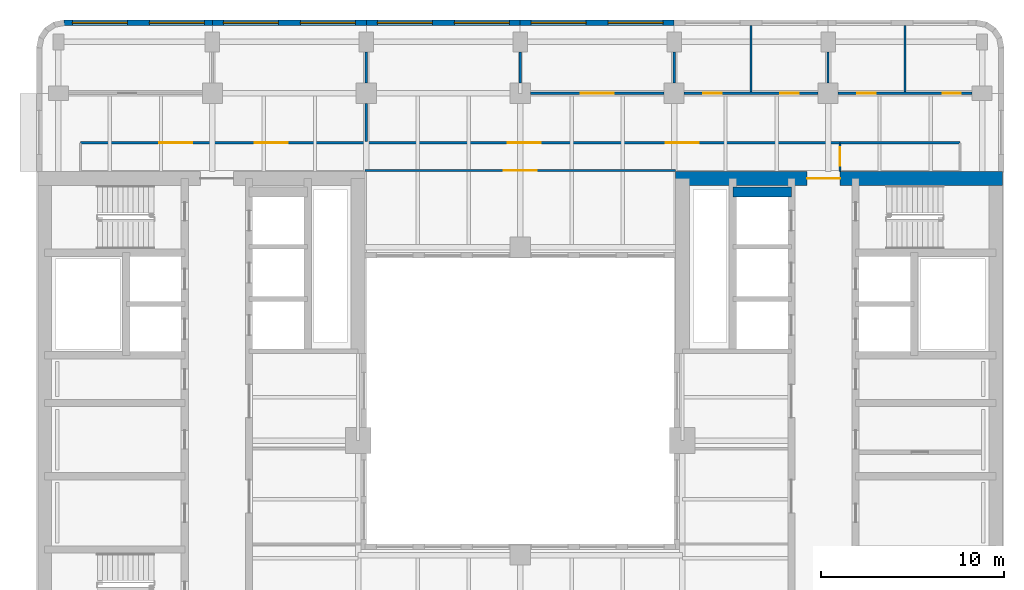
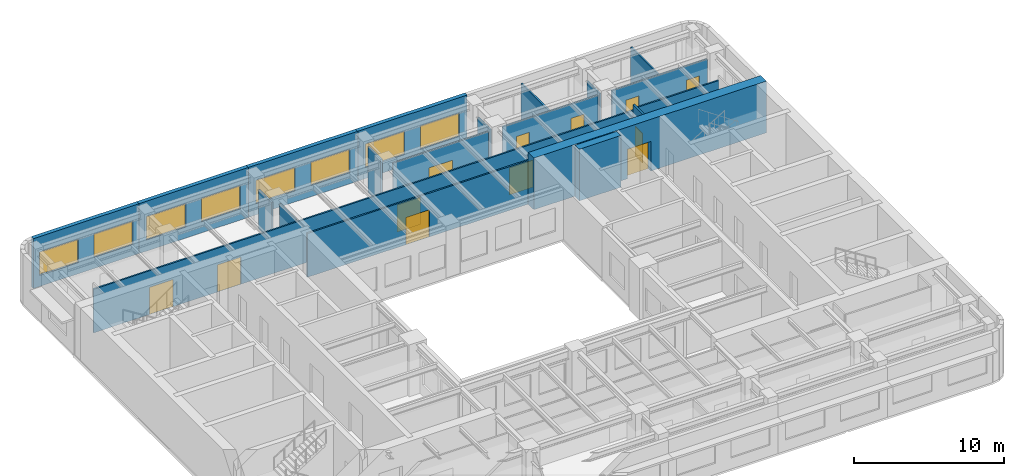
# One storey, part 7 of 11: 20 walls, 12 doors, 8 windows, 20 openings.
"""IFC4 building model written with IfcOpenShell, lengths in metres."""

from ifc_helpers import new_model, si_unit, direction, frame, frame_2d, origin, place, context, subcontext, project, spatial, rectangle, extrude, material, layer, layer_set, type_object, element, fill, save


model = new_model("IFC4")

# Units and contexts
model_context = context("Model", 3, precision=1e-05, world=origin(), true_north=direction((0.0, 1.0)))
body_context = subcontext(model_context, "Body", "Model", "MODEL_VIEW")
ifc_project = project(units=[si_unit("LENGTHUNIT", "METRE"), si_unit("AREAUNIT", "SQUARE_METRE"), si_unit("VOLUMEUNIT", "CUBIC_METRE"), si_unit("PLANEANGLEUNIT", "RADIAN"), si_unit("MASSUNIT", "GRAM", prefix="KILO")], contexts=[model_context])

# Site, building, storey
site_placement = place(None, origin())
site = spatial("IfcSite", under=ifc_project, at=site_placement, CompositionType="ELEMENT")
building_placement = place(site_placement, origin())
building = spatial("IfcBuilding", under=site, at=building_placement, Name="Claustro Exchange Tower", CompositionType="ELEMENT")
storey_placement = place(building_placement, frame((0.0, 0.0, 236.39990234375)))
storey = spatial("IfcBuildingStorey", under=building, at=storey_placement, Name="L54", CompositionType="ELEMENT", Elevation=236.39990234375)

# Wall, opening, door
ifc_material_1 = material(Name="Laminated glass in aluminium frame", Category="aluminium")
ifc_layer_1 = layer(ifc_material_1, 0.1201171875)
ifc_layer_set_1 = layer_set([ifc_layer_1], Name="Laminated glass in aluminium frame")
wall_type_1 = type_object("IfcWallType", Name="P2 120 glazed partition", PredefinedType="PARTITIONING", material=ifc_layer_set_1)
wall_1_placement = place(storey_placement, frame((25.7490234375, 42.0, 0.0), z_axis=(0.0, 0.0, 1.0), x_axis=(1.0, 0.0, 0.0)))
wall_1 = element("IfcWall", 1, at=wall_1_placement, inside=storey, type_object=wall_type_1, Name="Partition P2 L54", PredefinedType="PARTITIONING", context=body_context, shape_type="SweptSolid", body=[
    extrude(rectangle(XDim=7.302001953125, YDim=0.1201171875, at=frame_2d((3.65087890625, 0.0))), origin(), (0.0, 0.0, 1.0), 3.550048828125),
])
opening_1_placement = place(wall_1_placement, frame((2.7509765625, 0.0, 0.0)))
opening_1 = element("IfcOpeningElement", 2, at=opening_1_placement, cuts=wall_1, Name="Opening D2", PredefinedType="OPENING", context=body_context, shape_type="SweptSolid", body=[
    extrude(rectangle(XDim=1.800048828125, YDim=2.199951171875, at=frame_2d((0.89990234375, 1.10009765625))), frame((0.0, 0.070068359375, 0.0), z_axis=(0.0, -1.0, 0.0), x_axis=(1.0, 0.0, 0.0)), (0.0, 0.0, 1.0), 0.14013671875),
])
ifc_material_2 = material(Name="Timber door, oak veneer", Category="wood")
door_type_1 = type_object("IfcDoorType", Name="D2 1800 x 2200 double door", OperationType="DOUBLE_DOOR_SINGLE_SWING", PredefinedType="DOOR", material=ifc_material_2)
door_1_placement = place(opening_1_placement, origin())
door_1 = element("IfcDoor", 3, at=door_1_placement, inside=storey, type_object=door_type_1, Name="Double door D2 L54", OperationType="DOUBLE_DOOR_SINGLE_SWING", OverallHeight=2.199951171875, OverallWidth=1.800048828125, PredefinedType="DOOR", context=body_context, shape_type="SweptSolid", body=[
    extrude(rectangle(XDim=1.800048828125, YDim=2.199951171875, at=frame_2d((0.89990234375, 1.10009765625))), frame((0.0, 0.02490234375, 0.0), z_axis=(0.0, -1.0, 0.0), x_axis=(1.0, 0.0, 0.0)), (0.0, 0.0, 1.0), 0.050048828125),
])
fill(opening_1, door_1)

# Wall, openings, doors
wall_2_placement = place(storey_placement, frame((34.14892578125, 42.0, 0.0), z_axis=(0.0, 0.0, 1.0), x_axis=(1.0, 0.0, 0.0)))
wall_2 = element("IfcWall", 4, at=wall_2_placement, inside=storey, type_object=wall_type_1, Name="Partition P2 L54", PredefinedType="PARTITIONING", context=body_context, shape_type="SweptSolid", body=[
    extrude(rectangle(XDim=7.302001953125, YDim=0.1201171875, at=frame_2d((3.65087890625, 0.0))), origin(), (0.0, 0.0, 1.0), 3.550048828125),
])
opening_2_placement = place(wall_2_placement, frame((1.051025390625, 0.0, 0.0)))
opening_2 = element("IfcOpeningElement", 5, at=opening_2_placement, cuts=wall_2, Name="Opening D7", PredefinedType="OPENING", context=body_context, shape_type="SweptSolid", body=[
    extrude(rectangle(XDim=1.0, YDim=2.39990234375, at=frame_2d((0.5, 1.199951171875))), frame((0.0, 0.070068359375, 0.0), z_axis=(0.0, -1.0, 0.0), x_axis=(1.0, 0.0, 0.0)), (0.0, 0.0, 1.0), 0.14013671875),
])
opening_3_placement = place(wall_2_placement, frame((5.2509765625, 0.0, 0.0)))
opening_3 = element("IfcOpeningElement", 6, at=opening_3_placement, cuts=wall_2, Name="Opening D7", PredefinedType="OPENING", context=body_context, shape_type="SweptSolid", body=[
    extrude(rectangle(XDim=1.0, YDim=2.39990234375, at=frame_2d((0.5, 1.199951171875))), frame((0.0, 0.070068359375, 0.0), z_axis=(0.0, -1.0, 0.0), x_axis=(1.0, 0.0, 0.0)), (0.0, 0.0, 1.0), 0.14013671875),
])
ifc_material_3 = material(Name="Glass door in aluminium frame", Category="aluminium")
door_type_2 = type_object("IfcDoorType", Name="D7 1000 x 2400 glazed door", OperationType="SINGLE_SWING_LEFT", PredefinedType="DOOR", material=ifc_material_3)
door_2_placement = place(opening_2_placement, origin())
door_2 = element("IfcDoor", 7, at=door_2_placement, inside=storey, type_object=door_type_2, Name="Door D7 L54", OperationType="SINGLE_SWING_RIGHT", OverallHeight=2.39990234375, OverallWidth=1.0, PredefinedType="DOOR", context=body_context, shape_type="SweptSolid", body=[
    extrude(rectangle(XDim=1.0, YDim=2.39990234375, at=frame_2d((0.5, 1.199951171875))), frame((0.0, 0.02490234375, 0.0), z_axis=(0.0, -1.0, 0.0), x_axis=(1.0, 0.0, 0.0)), (0.0, 0.0, 1.0), 0.050048828125),
])
fill(opening_2, door_2)
door_3_placement = place(opening_3_placement, origin())
door_3 = element("IfcDoor", 8, at=door_3_placement, inside=storey, type_object=door_type_2, Name="Door D7 L54", OperationType="SINGLE_SWING_RIGHT", OverallHeight=2.39990234375, OverallWidth=1.0, PredefinedType="DOOR", context=body_context, shape_type="SweptSolid", body=[
    extrude(rectangle(XDim=1.0, YDim=2.39990234375, at=frame_2d((0.5, 1.199951171875))), frame((0.0, 0.02490234375, 0.0), z_axis=(0.0, -1.0, 0.0), x_axis=(1.0, 0.0, 0.0)), (0.0, 0.0, 1.0), 0.050048828125),
])
fill(opening_3, door_3)

wall_3_placement = place(storey_placement, frame((42.549072265625, 42.0, 0.0), z_axis=(0.0, 0.0, 1.0), x_axis=(1.0, 0.0, 0.0)))
wall_3 = element("IfcWall", 9, at=wall_3_placement, inside=storey, type_object=wall_type_1, Name="Partition P2 L54", PredefinedType="PARTITIONING", context=body_context, shape_type="SweptSolid", body=[
    extrude(rectangle(XDim=7.302001953125, YDim=0.1201171875, at=frame_2d((3.65087890625, 0.0))), origin(), (0.0, 0.0, 1.0), 3.550048828125),
])
opening_4_placement = place(wall_3_placement, frame((1.051025390625, 0.0, 0.0)))
opening_4 = element("IfcOpeningElement", 10, at=opening_4_placement, cuts=wall_3, Name="Opening D7", PredefinedType="OPENING", context=body_context, shape_type="SweptSolid", body=[
    extrude(rectangle(XDim=1.0, YDim=2.39990234375, at=frame_2d((0.5, 1.199951171875))), frame((0.0, 0.070068359375, 0.0), z_axis=(0.0, -1.0, 0.0), x_axis=(1.0, 0.0, 0.0)), (0.0, 0.0, 1.0), 0.14013671875),
])
opening_5_placement = place(wall_3_placement, frame((5.700927734375, 0.0, 0.0)))
opening_5 = element("IfcOpeningElement", 11, at=opening_5_placement, cuts=wall_3, Name="Opening D7", PredefinedType="OPENING", context=body_context, shape_type="SweptSolid", body=[
    extrude(rectangle(XDim=1.0, YDim=2.39990234375, at=frame_2d((0.5, 1.199951171875))), frame((0.0, 0.070068359375, 0.0), z_axis=(0.0, -1.0, 0.0), x_axis=(1.0, 0.0, 0.0)), (0.0, 0.0, 1.0), 0.14013671875),
])
door_4_placement = place(opening_4_placement, origin())
door_4 = element("IfcDoor", 12, at=door_4_placement, inside=storey, type_object=door_type_2, Name="Door D7 L54", OperationType="SINGLE_SWING_LEFT", OverallHeight=2.39990234375, OverallWidth=1.0, PredefinedType="DOOR", context=body_context, shape_type="SweptSolid", body=[
    extrude(rectangle(XDim=1.0, YDim=2.39990234375, at=frame_2d((0.5, 1.199951171875))), frame((0.0, 0.02490234375, 0.0), z_axis=(0.0, -1.0, 0.0), x_axis=(1.0, 0.0, 0.0)), (0.0, 0.0, 1.0), 0.050048828125),
])
fill(opening_4, door_4)
door_5_placement = place(opening_5_placement, origin())
door_5 = element("IfcDoor", 13, at=door_5_placement, inside=storey, type_object=door_type_2, Name="Door D7 L54", OperationType="SINGLE_SWING_LEFT", OverallHeight=2.39990234375, OverallWidth=1.0, PredefinedType="DOOR", context=body_context, shape_type="SweptSolid", body=[
    extrude(rectangle(XDim=1.0, YDim=2.39990234375, at=frame_2d((0.5, 1.199951171875))), frame((0.0, 0.02490234375, 0.0), z_axis=(0.0, -1.0, 0.0), x_axis=(1.0, 0.0, 0.0)), (0.0, 0.0, 1.0), 0.050048828125),
])
fill(opening_5, door_5)

# Walls
wall_4_placement = place(storey_placement, frame((25.199951171875, 42.549072265625, 0.0), z_axis=(0.0, 0.0, 1.0), x_axis=(0.0, 1.0, 0.0)))
element("IfcWall", 14, at=wall_4_placement, inside=storey, type_object=wall_type_1, Name="Partition P2 L54", PredefinedType="PARTITIONING", context=body_context, shape_type="SweptSolid", body=[
    extrude(rectangle(XDim=1.701904296875, YDim=0.1201171875, at=frame_2d((0.85107421875, 0.0))), origin(), (0.0, 0.0, 1.0), 3.690185546875),
])
wall_5_placement = place(storey_placement, frame((33.60009765625, 42.549072265625, 0.0), z_axis=(0.0, 0.0, 1.0), x_axis=(0.0, 1.0, 0.0)))
element("IfcWall", 15, at=wall_5_placement, inside=storey, type_object=wall_type_1, Name="Partition P2 L54", PredefinedType="PARTITIONING", context=body_context, shape_type="SweptSolid", body=[
    extrude(rectangle(XDim=1.701904296875, YDim=0.1201171875, at=frame_2d((0.85107421875, 0.0))), origin(), (0.0, 0.0, 1.0), 3.150146484375),
])
wall_6_placement = place(storey_placement, frame((37.800048828125, 42.05810546875, 0.0), z_axis=(0.0, 0.0, 1.0), x_axis=(0.0, 1.0, 0.0)))
element("IfcWall", 16, at=wall_6_placement, inside=storey, type_object=wall_type_1, Name="Partition P2 L54", PredefinedType="PARTITIONING", context=body_context, shape_type="SweptSolid", body=[
    extrude(rectangle(XDim=3.643798828125, YDim=0.1201171875, at=frame_2d((1.82177734375, 0.0))), origin(), (0.0, 0.0, 1.0), 3.550048828125),
])
wall_7_placement = place(storey_placement, frame((42.0, 42.549072265625, 0.0), z_axis=(0.0, 0.0, 1.0), x_axis=(0.0, 1.0, 0.0)))
element("IfcWall", 17, at=wall_7_placement, inside=storey, type_object=wall_type_1, Name="Partition P2 L54", PredefinedType="PARTITIONING", context=body_context, shape_type="SweptSolid", body=[
    extrude(rectangle(XDim=1.701904296875, YDim=0.1201171875, at=frame_2d((0.85107421875, 0.0))), origin(), (0.0, 0.0, 1.0), 3.150146484375),
])
wall_8_placement = place(storey_placement, frame((46.199951171875, 42.05810546875, 0.0), z_axis=(0.0, 0.0, 1.0), x_axis=(0.0, 1.0, 0.0)))
element("IfcWall", 18, at=wall_8_placement, inside=storey, type_object=wall_type_1, Name="Partition P2 L54", PredefinedType="PARTITIONING", context=body_context, shape_type="SweptSolid", body=[
    extrude(rectangle(XDim=3.643798828125, YDim=0.1201171875, at=frame_2d((1.82177734375, 0.0))), origin(), (0.0, 0.0, 1.0), 3.550048828125),
])
wall_9_placement = place(storey_placement, frame((16.800048828125, 39.35791015625, 0.0), z_axis=(0.0, 0.0, 1.0), x_axis=(0.0, 1.0, 0.0)))
element("IfcWall", 19, at=wall_9_placement, inside=storey, type_object=wall_type_1, Name="Partition P2 L54", PredefinedType="PARTITIONING", context=body_context, shape_type="SweptSolid", body=[
    extrude(rectangle(XDim=2.093017578125, YDim=0.1201171875, at=frame_2d((1.04638671875, 0.0))), origin(), (0.0, 0.0, 1.0), 3.690185546875),
])
wall_10_placement = place(storey_placement, frame((16.800048828125, 42.549072265625, 0.0), z_axis=(0.0, 0.0, 1.0), x_axis=(0.0, 1.0, 0.0)))
element("IfcWall", 20, at=wall_10_placement, inside=storey, type_object=wall_type_1, Name="Partition P2 L54", PredefinedType="PARTITIONING", context=body_context, shape_type="SweptSolid", body=[
    extrude(rectangle(XDim=1.701904296875, YDim=0.1201171875, at=frame_2d((0.85107421875, 0.0))), origin(), (0.0, 0.0, 1.0), 3.150146484375),
])

# Wall, openings, doors
wall_11_placement = place(storey_placement, frame((1.199951171875, 39.300048828125, 0.0), z_axis=(0.0, 0.0, 1.0), x_axis=(1.0, 0.0, 0.0)))
wall_11 = element("IfcWall", 21, at=wall_11_placement, inside=storey, type_object=wall_type_1, Name="Partition P2 L54", PredefinedType="PARTITIONING", context=body_context, shape_type="SweptSolid", body=[
    extrude(rectangle(XDim=41.4521484375, YDim=0.1201171875, at=frame_2d((20.72607421875, 0.0))), origin(), (0.0, 0.0, 1.0), 3.550048828125),
])
opening_6_placement = place(wall_11_placement, frame((4.300048828125, 0.0, 0.0)))
opening_6 = element("IfcOpeningElement", 22, at=opening_6_placement, cuts=wall_11, Name="Opening D2", PredefinedType="OPENING", context=body_context, shape_type="SweptSolid", body=[
    extrude(rectangle(XDim=1.800048828125, YDim=2.199951171875, at=frame_2d((0.89990234375, 1.10009765625))), frame((0.0, 0.070068359375, 0.0), z_axis=(0.0, -1.0, 0.0), x_axis=(1.0, 0.0, 0.0)), (0.0, 0.0, 1.0), 0.14013671875),
])
opening_7_placement = place(wall_11_placement, frame((9.5, 0.0, 0.0)))
opening_7 = element("IfcOpeningElement", 23, at=opening_7_placement, cuts=wall_11, Name="Opening D2", PredefinedType="OPENING", context=body_context, shape_type="SweptSolid", body=[
    extrude(rectangle(XDim=1.800048828125, YDim=2.199951171875, at=frame_2d((0.89990234375, 1.10009765625))), frame((0.0, 0.070068359375, 0.0), z_axis=(0.0, -1.0, 0.0), x_axis=(1.0, 0.0, 0.0)), (0.0, 0.0, 1.0), 0.14013671875),
])
opening_8_placement = place(wall_11_placement, frame((23.316650390625, 0.0, 0.0)))
opening_8 = element("IfcOpeningElement", 24, at=opening_8_placement, cuts=wall_11, Name="Opening D2", PredefinedType="OPENING", context=body_context, shape_type="SweptSolid", body=[
    extrude(rectangle(XDim=1.800048828125, YDim=2.199951171875, at=frame_2d((0.89990234375, 1.10009765625))), frame((0.0, 0.070068359375, 0.0), z_axis=(0.0, -1.0, 0.0), x_axis=(1.0, 0.0, 0.0)), (0.0, 0.0, 1.0), 0.14013671875),
])
opening_9_placement = place(wall_11_placement, frame((31.933349609375, 0.0, 0.0)))
opening_9 = element("IfcOpeningElement", 25, at=opening_9_placement, cuts=wall_11, Name="Opening D2", PredefinedType="OPENING", context=body_context, shape_type="SweptSolid", body=[
    extrude(rectangle(XDim=1.800048828125, YDim=2.199951171875, at=frame_2d((0.89990234375, 1.10009765625))), frame((0.0, 0.070068359375, 0.0), z_axis=(0.0, -1.0, 0.0), x_axis=(1.0, 0.0, 0.0)), (0.0, 0.0, 1.0), 0.14013671875),
])
door_6_placement = place(opening_6_placement, origin())
door_6 = element("IfcDoor", 26, at=door_6_placement, inside=storey, type_object=door_type_1, Name="Double door D2 L54", OperationType="DOUBLE_DOOR_SINGLE_SWING", OverallHeight=2.199951171875, OverallWidth=1.800048828125, PredefinedType="DOOR", context=body_context, shape_type="SweptSolid", body=[
    extrude(rectangle(XDim=1.800048828125, YDim=2.199951171875, at=frame_2d((0.89990234375, 1.10009765625))), frame((0.0, 0.02490234375, 0.0), z_axis=(0.0, -1.0, 0.0), x_axis=(1.0, 0.0, 0.0)), (0.0, 0.0, 1.0), 0.050048828125),
])
fill(opening_6, door_6)
door_7_placement = place(opening_7_placement, origin())
door_7 = element("IfcDoor", 27, at=door_7_placement, inside=storey, type_object=door_type_1, Name="Double door D2 L54", OperationType="DOUBLE_DOOR_SINGLE_SWING", OverallHeight=2.199951171875, OverallWidth=1.800048828125, PredefinedType="DOOR", context=body_context, shape_type="SweptSolid", body=[
    extrude(rectangle(XDim=1.800048828125, YDim=2.199951171875, at=frame_2d((0.89990234375, 1.10009765625))), frame((0.0, 0.02490234375, 0.0), z_axis=(0.0, -1.0, 0.0), x_axis=(1.0, 0.0, 0.0)), (0.0, 0.0, 1.0), 0.050048828125),
])
fill(opening_7, door_7)
door_8_placement = place(opening_8_placement, origin())
door_8 = element("IfcDoor", 28, at=door_8_placement, inside=storey, type_object=door_type_1, Name="Double door D2 L54", OperationType="DOUBLE_DOOR_SINGLE_SWING", OverallHeight=2.199951171875, OverallWidth=1.800048828125, PredefinedType="DOOR", context=body_context, shape_type="SweptSolid", body=[
    extrude(rectangle(XDim=1.800048828125, YDim=2.199951171875, at=frame_2d((0.89990234375, 1.10009765625))), frame((0.0, 0.02490234375, 0.0), z_axis=(0.0, -1.0, 0.0), x_axis=(1.0, 0.0, 0.0)), (0.0, 0.0, 1.0), 0.050048828125),
])
fill(opening_8, door_8)
door_9_placement = place(opening_9_placement, origin())
door_9 = element("IfcDoor", 29, at=door_9_placement, inside=storey, type_object=door_type_1, Name="Double door D2 L54", OperationType="DOUBLE_DOOR_SINGLE_SWING", OverallHeight=2.199951171875, OverallWidth=1.800048828125, PredefinedType="DOOR", context=body_context, shape_type="SweptSolid", body=[
    extrude(rectangle(XDim=1.800048828125, YDim=2.199951171875, at=frame_2d((0.89990234375, 1.10009765625))), frame((0.0, 0.02490234375, 0.0), z_axis=(0.0, -1.0, 0.0), x_axis=(1.0, 0.0, 0.0)), (0.0, 0.0, 1.0), 0.050048828125),
])
fill(opening_9, door_9)

# Wall, opening, door
wall_12_placement = place(storey_placement, frame((42.64990234375, 37.72412109375, 0.0), z_axis=(0.0, 0.0, 1.0), x_axis=(0.0, 1.0, 0.0)))
wall_12 = element("IfcWall", 30, at=wall_12_placement, inside=storey, type_object=wall_type_1, Name="Partition P2 L54", PredefinedType="PARTITIONING", context=body_context, shape_type="SweptSolid", body=[
    extrude(rectangle(XDim=1.517822265625, YDim=0.1201171875, at=frame_2d((0.7587890625, 0.0))), origin(), (0.0, 0.0, 1.0), 4.050048828125),
])
opening_10_placement = place(wall_12_placement, frame((0.325927734375, 0.0, 0.0)))
opening_10 = element("IfcOpeningElement", 31, at=opening_10_placement, cuts=wall_12, Name="Opening D7", PredefinedType="OPENING", context=body_context, shape_type="SweptSolid", body=[
    extrude(rectangle(XDim=1.0, YDim=2.39990234375, at=frame_2d((0.5, 1.199951171875))), frame((0.0, 0.070068359375, 0.0), z_axis=(0.0, -1.0, 0.0), x_axis=(1.0, 0.0, 0.0)), (0.0, 0.0, 1.0), 0.14013671875),
])
door_10_placement = place(opening_10_placement, frame((1.0, 0.0, 0.0), z_axis=(0.0, 0.0, 1.0), x_axis=(-1.0, 0.0, 0.0)))
door_10 = element("IfcDoor", 32, at=door_10_placement, inside=storey, type_object=door_type_2, Name="Door D7 L54", OperationType="SINGLE_SWING_RIGHT", OverallHeight=2.39990234375, OverallWidth=1.0, PredefinedType="DOOR", context=body_context, shape_type="SweptSolid", body=[
    extrude(rectangle(XDim=1.0, YDim=2.39990234375, at=frame_2d((0.5, 1.199951171875))), frame((0.0, 0.02490234375, 0.0), z_axis=(0.0, -1.0, 0.0), x_axis=(1.0, 0.0, 0.0)), (0.0, 0.0, 1.0), 0.050048828125),
])
fill(opening_10, door_10)

# Wall
wall_13_placement = place(storey_placement, frame((42.64794921875, 39.300048828125, 0.0), z_axis=(0.0, 0.0, 1.0), x_axis=(1.0, 0.0, 0.0)))
element("IfcWall", 33, at=wall_13_placement, inside=storey, type_object=wall_type_1, Name="Partition P2 L54", PredefinedType="PARTITIONING", context=body_context, shape_type="SweptSolid", body=[
    extrude(rectangle(XDim=6.552001953125, YDim=0.1201171875, at=frame_2d((3.27587890625, 0.0))), origin(), (0.0, 0.0, 1.0), 3.690185546875),
])

# Wall, opening, door
wall_14_placement = place(storey_placement, frame((16.72509765625, 37.784912109375, 0.0), z_axis=(0.0, 0.0, 1.0), x_axis=(1.0, 0.0, 0.0)))
wall_14 = element("IfcWall", 34, at=wall_14_placement, inside=storey, type_object=wall_type_1, Name="Partition P2 L54", PredefinedType="PARTITIONING", context=body_context, shape_type="SweptSolid", body=[
    extrude(rectangle(XDim=16.949951171875, YDim=0.1201171875, at=frame_2d((8.47509765625, 0.0))), origin(), (0.0, 0.0, 1.0), 3.550048828125),
])
opening_11_placement = place(wall_14_placement, frame((7.574951171875, 0.0, 0.0)))
opening_11 = element("IfcOpeningElement", 35, at=opening_11_placement, cuts=wall_14, Name="Opening D2", PredefinedType="OPENING", context=body_context, shape_type="SweptSolid", body=[
    extrude(rectangle(XDim=1.800048828125, YDim=2.199951171875, at=frame_2d((0.89990234375, 1.10009765625))), frame((0.0, 0.070068359375, 0.0), z_axis=(0.0, -1.0, 0.0), x_axis=(1.0, 0.0, 0.0)), (0.0, 0.0, 1.0), 0.14013671875),
])
door_11_placement = place(opening_11_placement, frame((1.800048828125, 0.0, 0.0), z_axis=(0.0, 0.0, 1.0), x_axis=(-1.0, 0.0, 0.0)))
door_11 = element("IfcDoor", 36, at=door_11_placement, inside=storey, type_object=door_type_1, Name="Double door D2 L54", OperationType="DOUBLE_DOOR_SINGLE_SWING", OverallHeight=2.199951171875, OverallWidth=1.800048828125, PredefinedType="DOOR", context=body_context, shape_type="SweptSolid", body=[
    extrude(rectangle(XDim=1.800048828125, YDim=2.199951171875, at=frame_2d((0.89990234375, 1.10009765625))), frame((0.0, 0.02490234375, 0.0), z_axis=(0.0, -1.0, 0.0), x_axis=(1.0, 0.0, 0.0)), (0.0, 0.0, 1.0), 0.050048828125),
])
fill(opening_11, door_11)

# Wall, openings, windows
ifc_material_4 = material(Name="Concrete HA-40 (C40/50), precast, white cement, acid-etched", Category="concrete")
ifc_layer_2 = layer(ifc_material_4, 0.300048828125)
ifc_layer_set_2 = layer_set([ifc_layer_2], Name="Concrete HA-40 (C40/50), precast, white cement, acid-etched")
wall_type_2 = type_object("IfcWallType", Name="PC1 300 precast concrete pier panel", PredefinedType="SOLIDWALL", material=ifc_layer_set_2)
wall_15_placement = place(storey_placement, frame((0.314697265625, 45.85009765625, 0.0), z_axis=(0.0, 0.0, 1.0), x_axis=(1.0, 0.0, 0.0)))
wall_15 = element("IfcWall", 37, at=wall_15_placement, inside=storey, type_object=wall_type_2, Name="Precast pier panel PC1 L54", PredefinedType="SOLIDWALL", context=body_context, shape_type="SweptSolid", body=[
    extrude(rectangle(XDim=8.085205078125, YDim=0.300048828125, at=frame_2d((4.04248046875, 0.0))), origin(), (0.0, 0.0, 1.0), 4.050048828125),
])
opening_12_placement = place(wall_15_placement, frame((0.442626953125, 0.0, 0.89990234375)))
opening_12 = element("IfcOpeningElement", 38, at=opening_12_placement, cuts=wall_15, Name="Opening W1", PredefinedType="OPENING", context=body_context, shape_type="SweptSolid", body=[
    extrude(rectangle(XDim=3.0, YDim=1.89990234375, at=frame_2d((1.5, 0.949951171875))), frame((0.0, 0.159912109375, 0.0), z_axis=(0.0, -1.0, 0.0), x_axis=(1.0, 0.0, 0.0)), (0.0, 0.0, 1.0), 0.320068359375),
])
opening_13_placement = place(wall_15_placement, frame((4.642578125, 0.0, 0.89990234375)))
opening_13 = element("IfcOpeningElement", 39, at=opening_13_placement, cuts=wall_15, Name="Opening W1", PredefinedType="OPENING", context=body_context, shape_type="SweptSolid", body=[
    extrude(rectangle(XDim=3.0, YDim=1.89990234375, at=frame_2d((1.5, 0.949951171875))), frame((0.0, 0.159912109375, 0.0), z_axis=(0.0, -1.0, 0.0), x_axis=(1.0, 0.0, 0.0)), (0.0, 0.0, 1.0), 0.320068359375),
])
ifc_material_5 = material(Name="Aluminium frame, clear double glazing", Category="aluminium")
window_type = type_object("IfcWindowType", Name="W1 3000 x 1900 window", PartitioningType="SINGLE_PANEL", PredefinedType="WINDOW", material=ifc_material_5)
window_1_placement = place(opening_12_placement, origin())
window_1 = element("IfcWindow", 40, at=window_1_placement, inside=storey, type_object=window_type, Name="Window W1 L54", OverallHeight=1.89990234375, OverallWidth=3.0, PartitioningType="SINGLE_PANEL", PredefinedType="WINDOW", context=body_context, shape_type="SweptSolid", body=[
    extrude(rectangle(XDim=3.0, YDim=1.89990234375, at=frame_2d((1.5, 0.949951171875))), frame((0.0, 0.030029296875, 0.0), z_axis=(0.0, -1.0, 0.0), x_axis=(1.0, 0.0, 0.0)), (0.0, 0.0, 1.0), 0.06005859375),
])
fill(opening_12, window_1)
window_2_placement = place(opening_13_placement, origin())
window_2 = element("IfcWindow", 41, at=window_2_placement, inside=storey, type_object=window_type, Name="Window W1 L54", OverallHeight=1.89990234375, OverallWidth=3.0, PartitioningType="SINGLE_PANEL", PredefinedType="WINDOW", context=body_context, shape_type="SweptSolid", body=[
    extrude(rectangle(XDim=3.0, YDim=1.89990234375, at=frame_2d((1.5, 0.949951171875))), frame((0.0, 0.030029296875, 0.0), z_axis=(0.0, -1.0, 0.0), x_axis=(1.0, 0.0, 0.0)), (0.0, 0.0, 1.0), 0.06005859375),
])
fill(opening_13, window_2)

wall_16_placement = place(storey_placement, frame((8.39990234375, 45.85009765625, 0.0), z_axis=(0.0, 0.0, 1.0), x_axis=(1.0, 0.0, 0.0)))
wall_16 = element("IfcWall", 42, at=wall_16_placement, inside=storey, type_object=wall_type_2, Name="Precast pier panel PC1 L54", PredefinedType="SOLIDWALL", context=body_context, shape_type="SweptSolid", body=[
    extrude(rectangle(XDim=8.400146484375, YDim=0.300048828125, at=frame_2d((4.2001953125, 0.0))), origin(), (0.0, 0.0, 1.0), 4.050048828125),
])
opening_14_placement = place(wall_16_placement, frame((0.60009765625, 0.0, 0.89990234375)))
opening_14 = element("IfcOpeningElement", 43, at=opening_14_placement, cuts=wall_16, Name="Opening W1", PredefinedType="OPENING", context=body_context, shape_type="SweptSolid", body=[
    extrude(rectangle(XDim=3.0, YDim=1.89990234375, at=frame_2d((1.5, 0.949951171875))), frame((0.0, 0.159912109375, 0.0), z_axis=(0.0, -1.0, 0.0), x_axis=(1.0, 0.0, 0.0)), (0.0, 0.0, 1.0), 0.320068359375),
])
opening_15_placement = place(wall_16_placement, frame((4.800048828125, 0.0, 0.89990234375)))
opening_15 = element("IfcOpeningElement", 44, at=opening_15_placement, cuts=wall_16, Name="Opening W1", PredefinedType="OPENING", context=body_context, shape_type="SweptSolid", body=[
    extrude(rectangle(XDim=3.0, YDim=1.89990234375, at=frame_2d((1.5, 0.949951171875))), frame((0.0, 0.159912109375, 0.0), z_axis=(0.0, -1.0, 0.0), x_axis=(1.0, 0.0, 0.0)), (0.0, 0.0, 1.0), 0.320068359375),
])
window_3_placement = place(opening_14_placement, origin())
window_3 = element("IfcWindow", 45, at=window_3_placement, inside=storey, type_object=window_type, Name="Window W1 L54", OverallHeight=1.89990234375, OverallWidth=3.0, PartitioningType="SINGLE_PANEL", PredefinedType="WINDOW", context=body_context, shape_type="SweptSolid", body=[
    extrude(rectangle(XDim=3.0, YDim=1.89990234375, at=frame_2d((1.5, 0.949951171875))), frame((0.0, 0.030029296875, 0.0), z_axis=(0.0, -1.0, 0.0), x_axis=(1.0, 0.0, 0.0)), (0.0, 0.0, 1.0), 0.06005859375),
])
fill(opening_14, window_3)
window_4_placement = place(opening_15_placement, origin())
window_4 = element("IfcWindow", 46, at=window_4_placement, inside=storey, type_object=window_type, Name="Window W1 L54", OverallHeight=1.89990234375, OverallWidth=3.0, PartitioningType="SINGLE_PANEL", PredefinedType="WINDOW", context=body_context, shape_type="SweptSolid", body=[
    extrude(rectangle(XDim=3.0, YDim=1.89990234375, at=frame_2d((1.5, 0.949951171875))), frame((0.0, 0.030029296875, 0.0), z_axis=(0.0, -1.0, 0.0), x_axis=(1.0, 0.0, 0.0)), (0.0, 0.0, 1.0), 0.06005859375),
])
fill(opening_15, window_4)

wall_17_placement = place(storey_placement, frame((16.800048828125, 45.85009765625, 0.0), z_axis=(0.0, 0.0, 1.0), x_axis=(1.0, 0.0, 0.0)))
wall_17 = element("IfcWall", 47, at=wall_17_placement, inside=storey, type_object=wall_type_2, Name="Precast pier panel PC1 L54", PredefinedType="SOLIDWALL", context=body_context, shape_type="SweptSolid", body=[
    extrude(rectangle(XDim=8.39990234375, YDim=0.300048828125, at=frame_2d((4.199951171875, 0.0))), origin(), (0.0, 0.0, 1.0), 4.050048828125),
])
opening_16_placement = place(wall_17_placement, frame((0.60009765625, 0.0, 0.89990234375)))
opening_16 = element("IfcOpeningElement", 48, at=opening_16_placement, cuts=wall_17, Name="Opening W1", PredefinedType="OPENING", context=body_context, shape_type="SweptSolid", body=[
    extrude(rectangle(XDim=3.0, YDim=1.89990234375, at=frame_2d((1.5, 0.949951171875))), frame((0.0, 0.159912109375, 0.0), z_axis=(0.0, -1.0, 0.0), x_axis=(1.0, 0.0, 0.0)), (0.0, 0.0, 1.0), 0.320068359375),
])
opening_17_placement = place(wall_17_placement, frame((4.800048828125, 0.0, 0.89990234375)))
opening_17 = element("IfcOpeningElement", 49, at=opening_17_placement, cuts=wall_17, Name="Opening W1", PredefinedType="OPENING", context=body_context, shape_type="SweptSolid", body=[
    extrude(rectangle(XDim=3.0, YDim=1.89990234375, at=frame_2d((1.5, 0.949951171875))), frame((0.0, 0.159912109375, 0.0), z_axis=(0.0, -1.0, 0.0), x_axis=(1.0, 0.0, 0.0)), (0.0, 0.0, 1.0), 0.320068359375),
])
window_5_placement = place(opening_16_placement, origin())
window_5 = element("IfcWindow", 50, at=window_5_placement, inside=storey, type_object=window_type, Name="Window W1 L54", OverallHeight=1.89990234375, OverallWidth=3.0, PartitioningType="SINGLE_PANEL", PredefinedType="WINDOW", context=body_context, shape_type="SweptSolid", body=[
    extrude(rectangle(XDim=3.0, YDim=1.89990234375, at=frame_2d((1.5, 0.949951171875))), frame((0.0, 0.030029296875, 0.0), z_axis=(0.0, -1.0, 0.0), x_axis=(1.0, 0.0, 0.0)), (0.0, 0.0, 1.0), 0.06005859375),
])
fill(opening_16, window_5)
window_6_placement = place(opening_17_placement, origin())
window_6 = element("IfcWindow", 51, at=window_6_placement, inside=storey, type_object=window_type, Name="Window W1 L54", OverallHeight=1.89990234375, OverallWidth=3.0, PartitioningType="SINGLE_PANEL", PredefinedType="WINDOW", context=body_context, shape_type="SweptSolid", body=[
    extrude(rectangle(XDim=3.0, YDim=1.89990234375, at=frame_2d((1.5, 0.949951171875))), frame((0.0, 0.030029296875, 0.0), z_axis=(0.0, -1.0, 0.0), x_axis=(1.0, 0.0, 0.0)), (0.0, 0.0, 1.0), 0.06005859375),
])
fill(opening_17, window_6)

wall_18_placement = place(storey_placement, frame((25.199951171875, 45.85009765625, 0.0), z_axis=(0.0, 0.0, 1.0), x_axis=(1.0, 0.0, 0.0)))
wall_18 = element("IfcWall", 52, at=wall_18_placement, inside=storey, type_object=wall_type_2, Name="Precast pier panel PC1 L54", PredefinedType="SOLIDWALL", context=body_context, shape_type="SweptSolid", body=[
    extrude(rectangle(XDim=8.400146484375, YDim=0.300048828125, at=frame_2d((4.2001953125, 0.0))), origin(), (0.0, 0.0, 1.0), 4.050048828125),
])
opening_18_placement = place(wall_18_placement, frame((0.60009765625, 0.0, 0.89990234375)))
opening_18 = element("IfcOpeningElement", 53, at=opening_18_placement, cuts=wall_18, Name="Opening W1", PredefinedType="OPENING", context=body_context, shape_type="SweptSolid", body=[
    extrude(rectangle(XDim=3.0, YDim=1.89990234375, at=frame_2d((1.5, 0.949951171875))), frame((0.0, 0.159912109375, 0.0), z_axis=(0.0, -1.0, 0.0), x_axis=(1.0, 0.0, 0.0)), (0.0, 0.0, 1.0), 0.320068359375),
])
opening_19_placement = place(wall_18_placement, frame((4.800048828125, 0.0, 0.89990234375)))
opening_19 = element("IfcOpeningElement", 54, at=opening_19_placement, cuts=wall_18, Name="Opening W1", PredefinedType="OPENING", context=body_context, shape_type="SweptSolid", body=[
    extrude(rectangle(XDim=3.0, YDim=1.89990234375, at=frame_2d((1.5, 0.949951171875))), frame((0.0, 0.159912109375, 0.0), z_axis=(0.0, -1.0, 0.0), x_axis=(1.0, 0.0, 0.0)), (0.0, 0.0, 1.0), 0.320068359375),
])
window_7_placement = place(opening_18_placement, origin())
window_7 = element("IfcWindow", 55, at=window_7_placement, inside=storey, type_object=window_type, Name="Window W1 L54", OverallHeight=1.89990234375, OverallWidth=3.0, PartitioningType="SINGLE_PANEL", PredefinedType="WINDOW", context=body_context, shape_type="SweptSolid", body=[
    extrude(rectangle(XDim=3.0, YDim=1.89990234375, at=frame_2d((1.5, 0.949951171875))), frame((0.0, 0.030029296875, 0.0), z_axis=(0.0, -1.0, 0.0), x_axis=(1.0, 0.0, 0.0)), (0.0, 0.0, 1.0), 0.06005859375),
])
fill(opening_18, window_7)
window_8_placement = place(opening_19_placement, origin())
window_8 = element("IfcWindow", 56, at=window_8_placement, inside=storey, type_object=window_type, Name="Window W1 L54", OverallHeight=1.89990234375, OverallWidth=3.0, PartitioningType="SINGLE_PANEL", PredefinedType="WINDOW", context=body_context, shape_type="SweptSolid", body=[
    extrude(rectangle(XDim=3.0, YDim=1.89990234375, at=frame_2d((1.5, 0.949951171875))), frame((0.0, 0.030029296875, 0.0), z_axis=(0.0, -1.0, 0.0), x_axis=(1.0, 0.0, 0.0)), (0.0, 0.0, 1.0), 0.06005859375),
])
fill(opening_19, window_8)

# Wall, opening, door
ifc_material_6 = material(Name="Concrete HA-70 (C70/85)", Category="concrete")
ifc_layer_3 = layer(ifc_material_6, 0.75)
ifc_layer_set_3 = layer_set([ifc_layer_3], Name="Concrete HA-70 (C70/85)")
wall_type_3 = type_object("IfcWallType", Name="SW2 750 core shear wall", PredefinedType="SHEAR", material=ifc_layer_set_3)
wall_19_placement = place(storey_placement, frame((33.675048828125, 37.35009765625, 0.0), z_axis=(0.0, 0.0, 1.0), x_axis=(1.0, 0.0, 0.0)))
wall_19 = element("IfcWall", 57, at=wall_19_placement, inside=storey, type_object=wall_type_3, Name="Core wall SW2 E core N face L54", PredefinedType="SHEAR", context=body_context, shape_type="SweptSolid", body=[
    extrude(rectangle(XDim=17.849853515625, YDim=0.75, at=frame_2d((8.9248046875, 0.0))), origin(), (0.0, 0.0, 1.0), 4.2001953125),
])
opening_20_placement = place(wall_19_placement, frame((7.175048828125, 0.0, 0.0)))
opening_20 = element("IfcOpeningElement", 58, at=opening_20_placement, cuts=wall_19, Name="Opening D3", PredefinedType="OPENING", context=body_context, shape_type="SweptSolid", body=[
    extrude(rectangle(XDim=1.800048828125, YDim=2.39990234375, at=frame_2d((0.89990234375, 1.199951171875))), frame((0.0, 0.385009765625, 0.0), z_axis=(0.0, -1.0, 0.0), x_axis=(1.0, 0.0, 0.0)), (0.0, 0.0, 1.0), 0.77001953125),
])
ifc_material_7 = material(Name="Steel fire door, painted", Category="steel")
door_type_3 = type_object("IfcDoorType", Name="D3 1800 x 2400 fire-rated lobby double door", OperationType="DOUBLE_DOOR_SINGLE_SWING", PredefinedType="DOOR", material=ifc_material_7)
door_12_placement = place(opening_20_placement, frame((1.800048828125, 0.0, 0.0), z_axis=(0.0, 0.0, 1.0), x_axis=(-1.0, 0.0, 0.0)))
door_12 = element("IfcDoor", 59, at=door_12_placement, inside=storey, type_object=door_type_3, Name="Lift lobby door D3 L54", OperationType="DOUBLE_DOOR_SINGLE_SWING", OverallHeight=2.39990234375, OverallWidth=1.800048828125, PredefinedType="DOOR", context=body_context, shape_type="SweptSolid", body=[
    extrude(rectangle(XDim=1.800048828125, YDim=2.39990234375, at=frame_2d((0.89990234375, 1.199951171875))), frame((0.0, 0.02490234375, 0.0), z_axis=(0.0, -1.0, 0.0), x_axis=(1.0, 0.0, 0.0)), (0.0, 0.0, 1.0), 0.050048828125),
])
fill(opening_20, door_12)

# Wall
ifc_material_8 = material(Name="Concrete HA-50 (C50/60)", Category="concrete")
ifc_layer_4 = layer(ifc_material_8, 0.550048828125)
ifc_layer_set_4 = layer_set([ifc_layer_4], Name="Concrete HA-50 (C50/60)")
wall_type_4 = type_object("IfcWallType", Name="SW6 550 lift shaft end wall", PredefinedType="SHEAR", material=ifc_layer_set_4)
wall_20_placement = place(storey_placement, frame((40.0, 36.625, 0.0), z_axis=(0.0, 0.0, 1.0), x_axis=(-1.0, 0.0, 0.0)))
element("IfcWall", 60, at=wall_20_placement, inside=storey, type_object=wall_type_4, Name="Lift shaft wall E core L54", PredefinedType="SHEAR", context=body_context, shape_type="SweptSolid", body=[
    extrude(rectangle(XDim=3.199951171875, YDim=0.550048828125, at=frame_2d((1.60009765625, 0.0))), origin(), (0.0, 0.0, 1.0), 4.2001953125),
])

save(model, "model.ifc")
